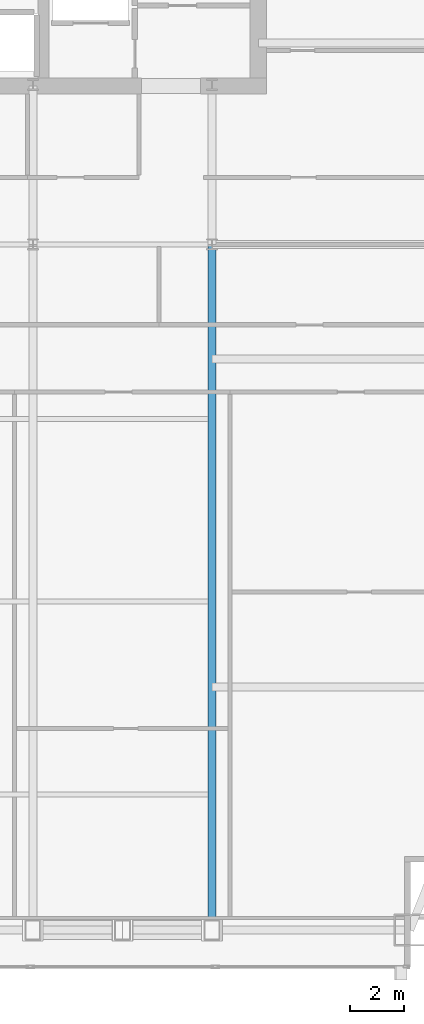
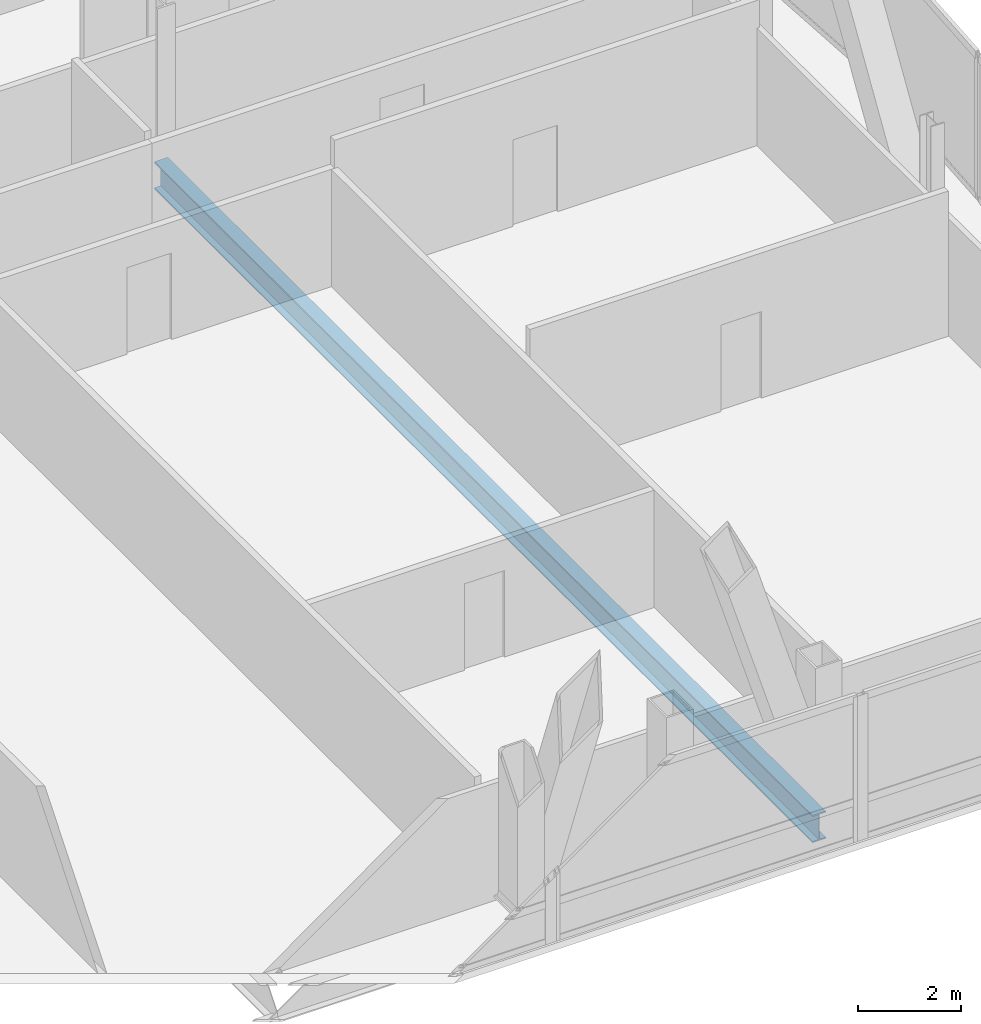
# One storey, part 16 of 32: 1 beam.
"""IFC4 building model written with IfcOpenShell, lengths in metres."""

from ifc_helpers import new_model, si_unit, direction, frame, origin, origin_2d, place, context, subcontext, project, spatial, i_section, extrude, material, material_profile, profile_set, type_object, element, save


model = new_model("IFC4")

# Units and contexts
model_context = context("Model", 3, precision=1e-05, world=origin(), true_north=direction((0.0, 1.0)))
body_context = subcontext(model_context, "Body", "Model", "MODEL_VIEW")
ifc_project = project(units=[si_unit("LENGTHUNIT", "METRE"), si_unit("AREAUNIT", "SQUARE_METRE"), si_unit("VOLUMEUNIT", "CUBIC_METRE"), si_unit("PLANEANGLEUNIT", "RADIAN"), si_unit("MASSUNIT", "GRAM", prefix="KILO")], contexts=[model_context])

# Site, building, storey
site_placement = place(None, origin())
site = spatial("IfcSite", under=ifc_project, at=site_placement, CompositionType="ELEMENT")
building_placement = place(site_placement, origin())
building = spatial("IfcBuilding", under=site, at=building_placement, Name="Khoronbel Lancet Exchange", CompositionType="ELEMENT")
storey_placement = place(building_placement, frame((0.0, 0.0, 221.0)))
storey = spatial("IfcBuildingStorey", under=building, at=storey_placement, Name="L56", CompositionType="ELEMENT", Elevation=221.0)

# Beam
ifc_material = material(Name="Steel S355", Category="steel")
ifc_material_profile = material_profile(ifc_material, i_section(OverallWidth=0.300048828125, OverallDepth=0.64990234375, WebThickness=0.01611328125, FlangeThickness=0.031005859375, at=origin_2d()), Name="HEB 650")
ifc_profile_set = profile_set([ifc_material_profile], Name="Steel S355")
beam_type = type_object("IfcBeamType", Name="BM-BG4", PredefinedType="BEAM", material=ifc_profile_set)
beam_placement = place(storey_placement, frame((54.675048828125, 10.14990234375, -0.485107421875), z_axis=(0.0, 1.0, 0.0), x_axis=(-1.0, 0.0, 0.0)))
element("IfcBeam", 1, at=beam_placement, inside=storey, type_object=beam_type, Name="Level L56 south primary girder GS6", PredefinedType="BEAM", context=body_context, shape_type="SweptSolid", body=[
    extrude(i_section(OverallWidth=0.300048828125, OverallDepth=0.64990234375, WebThickness=0.01611328125, FlangeThickness=0.031005859375, at=origin_2d()), origin(), (0.0, 0.0, 1.0), 25.550048828125),
])

save(model, "model.ifc")
